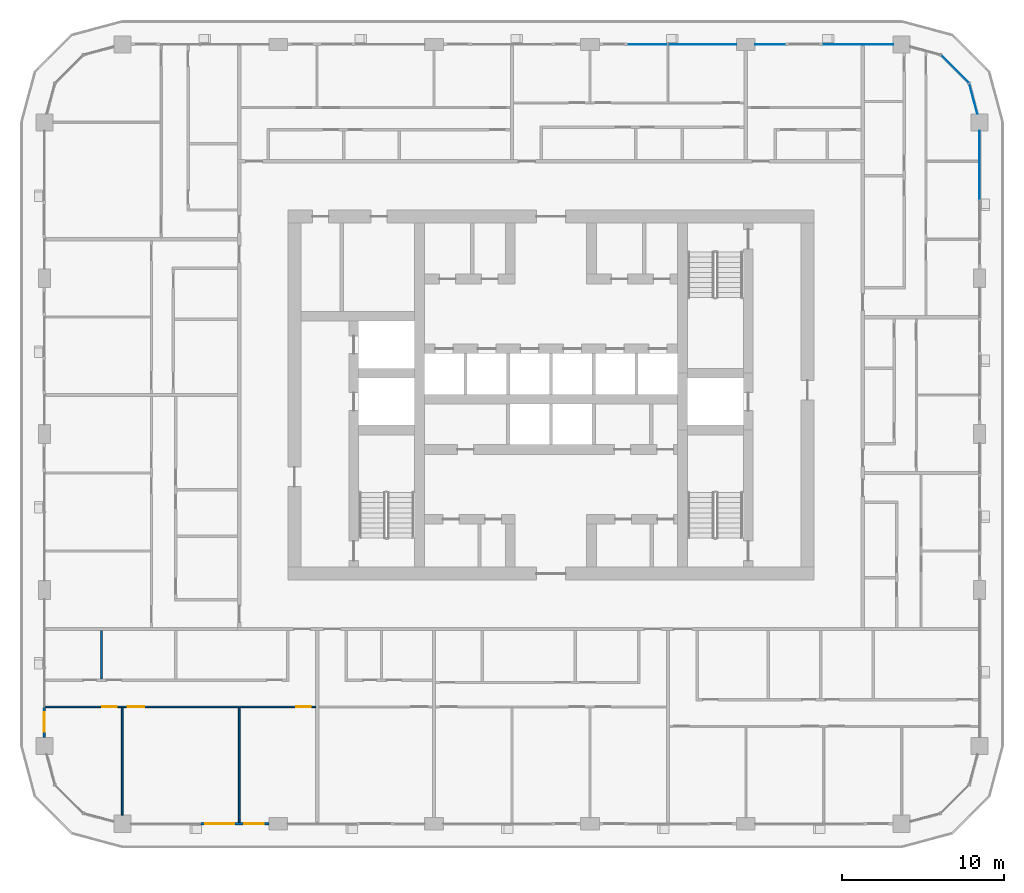
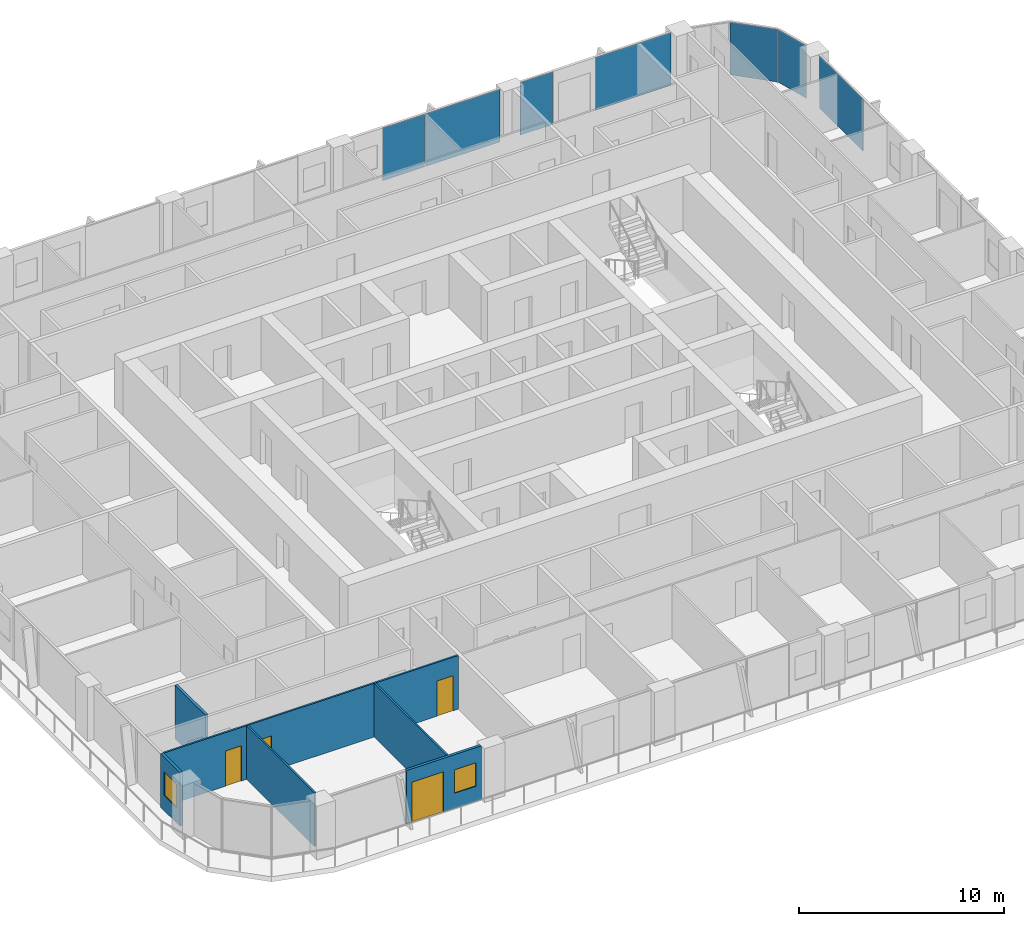
# One storey, part 8 of 22: 7 plates, 6 walls, 4 doors, 2 windows, 6 openings, 4 elements without a shape of their own.
"""IFC4 building model written with IfcOpenShell, lengths in metres."""

from ifc_helpers import new_model, si_unit, direction, frame, frame_2d, origin, origin_2d, place, context, subcontext, project, spatial, rectangle, extrude, material, layer, layer_set, type_object, element, fill, aggregate, save


model = new_model("IFC4")

# Units and contexts
model_context = context("Model", 3, precision=1e-05, world=origin(), true_north=direction((0.0, 1.0)))
body_context = subcontext(model_context, "Body", "Model", "MODEL_VIEW")
ifc_project = project(units=[si_unit("LENGTHUNIT", "METRE"), si_unit("AREAUNIT", "SQUARE_METRE"), si_unit("VOLUMEUNIT", "CUBIC_METRE"), si_unit("PLANEANGLEUNIT", "RADIAN"), si_unit("MASSUNIT", "GRAM", prefix="KILO")], contexts=[model_context])

# Site, building, storey
site_placement = place(None, origin())
site = spatial("IfcSite", under=ifc_project, at=site_placement, CompositionType="ELEMENT")
building_placement = place(site_placement, origin())
building = spatial("IfcBuilding", under=site, at=building_placement, Name="Madar Terraces", CompositionType="ELEMENT")
storey_placement = place(building_placement, frame((0.0, 0.0, 159.5)))
storey = spatial("IfcBuildingStorey", under=building, at=storey_placement, Name="L41", CompositionType="ELEMENT", Elevation=159.5)

# Curtain wall, plate
ifc_material_1 = material(Name="Glass, ceramic frit dark grey, with black aluminium frame", Category="aluminium")
ifc_layer_1 = layer(ifc_material_1, 0.199951171875)
ifc_layer_set_1 = layer_set([ifc_layer_1], Name="Facade curtain wall, fritted glass")
curtain_wall_type = type_object("IfcCurtainWallType", Name="Facade curtain wall, fritted glass", PredefinedType="NOTDEFINED", material=ifc_layer_set_1)
curtain_wall_1_placement = place(storey_placement, origin())
curtain_wall_1 = element("IfcCurtainWall", 1, at=curtain_wall_1_placement, inside=storey, type_object=curtain_wall_type, Name="Outer skin curtain wall east bay 4", PredefinedType="NOTDEFINED")
ifc_material_2 = material(Name="Glass, ceramic frit dark grey", Category="glass")
ifc_layer_2 = layer(ifc_material_2, 0.028076171875)
ifc_layer_set_2 = layer_set([ifc_layer_2], Name="Facade glass panel 28")
plate_type = type_object("IfcPlateType", Name="Facade glass panel 28", PredefinedType="CURTAIN_PANEL", material=ifc_layer_set_2)
plate_1_placement = place(storey_placement, frame((57.60009765625, 40.552490234375, 0.0), z_axis=(0.0, 0.0, 1.0), x_axis=(0.0, 1.0, 0.0)))
plate_1 = element("IfcPlate", 2, at=plate_1_placement, type_object=plate_type, Name="Panel 2", PredefinedType="CURTAIN_PANEL", context=body_context, shape_type="SweptSolid", body=[
    extrude(rectangle(XDim=4.2451171875, YDim=0.028076171875, at=origin_2d()), origin(), (0.0, 0.0, 1.0), 3.139892578125),
])
aggregate(curtain_wall_1, [plate_1])

# Curtain wall, plates
curtain_wall_2_placement = place(storey_placement, origin())
curtain_wall_2 = element("IfcCurtainWall", 3, at=curtain_wall_2_placement, inside=storey, type_object=curtain_wall_type, Name="Outer skin curtain wall north bay 1", PredefinedType="NOTDEFINED")
plate_2_placement = place(storey_placement, frame((50.137451171875, 48.0, 0.0), z_axis=(0.0, 0.0, 1.0), x_axis=(-1.0, 0.0, 0.0)))
plate_2 = element("IfcPlate", 4, at=plate_2_placement, type_object=plate_type, Name="Panel 1", PredefinedType="CURTAIN_PANEL", context=body_context, shape_type="SweptSolid", body=[
    extrude(rectangle(XDim=4.27490234375, YDim=0.028076171875, at=origin_2d()), origin(), (0.0, 0.0, 1.0), 3.139892578125),
])
plate_3_placement = place(storey_placement, frame((44.6875, 48.0, 0.0), z_axis=(0.0, 0.0, 1.0), x_axis=(-1.0, 0.0, 0.0)))
plate_3 = element("IfcPlate", 5, at=plate_3_placement, type_object=plate_type, Name="Panel 2", PredefinedType="CURTAIN_PANEL", context=body_context, shape_type="SweptSolid", body=[
    extrude(rectangle(XDim=1.824951171875, YDim=0.028076171875, at=origin_2d()), origin(), (0.0, 0.0, 1.0), 3.139892578125),
])
aggregate(curtain_wall_2, [plate_2, plate_3])

curtain_wall_3_placement = place(storey_placement, origin())
curtain_wall_3 = element("IfcCurtainWall", 6, at=curtain_wall_3_placement, inside=storey, type_object=curtain_wall_type, Name="Outer skin curtain wall north bay 2", PredefinedType="NOTDEFINED")
plate_4_placement = place(storey_placement, frame((40.527587890625, 48.0, 0.0), z_axis=(0.0, 0.0, 1.0), x_axis=(-1.0, 0.0, 0.0)))
plate_4 = element("IfcPlate", 7, at=plate_4_placement, type_object=plate_type, Name="Panel 1", PredefinedType="CURTAIN_PANEL", context=body_context, shape_type="SweptSolid", body=[
    extrude(rectangle(XDim=4.195068359375, YDim=0.028076171875, at=origin_2d()), origin(), (0.0, 0.0, 1.0), 3.139892578125),
])
plate_5_placement = place(storey_placement, frame((37.18505859375, 48.0, 0.0), z_axis=(0.0, 0.0, 1.0), x_axis=(-1.0, 0.0, 0.0)))
plate_5 = element("IfcPlate", 8, at=plate_5_placement, type_object=plate_type, Name="Panel 2", PredefinedType="CURTAIN_PANEL", context=body_context, shape_type="SweptSolid", body=[
    extrude(rectangle(XDim=2.3701171875, YDim=0.028076171875, at=origin_2d()), origin(), (0.0, 0.0, 1.0), 3.139892578125),
])
aggregate(curtain_wall_3, [plate_4, plate_5])

curtain_wall_4_placement = place(storey_placement, origin())
curtain_wall_4 = element("IfcCurtainWall", 9, at=curtain_wall_4_placement, inside=storey, type_object=curtain_wall_type, Name="Outer skin curtain wall north-east corner", PredefinedType="NOTDEFINED")
plate_6_placement = place(storey_placement, frame((57.2119140625, 44.64794921875, 0.0), z_axis=(0.0, 0.0, 1.0), x_axis=(-0.258819021888, 0.965925832509, 0.0)))
plate_6 = element("IfcPlate", 10, at=plate_6_placement, type_object=plate_type, Name="Panel 1", PredefinedType="CURTAIN_PANEL", context=body_context, shape_type="SweptSolid", body=[
    extrude(rectangle(XDim=1.9111328125, YDim=0.028076171875, at=origin_2d()), origin(), (0.0, 0.0, 1.0), 3.139892578125),
])
plate_7_placement = place(storey_placement, frame((56.078369140625, 46.478515625, 0.0), z_axis=(0.0, 0.0, 1.0), x_axis=(-0.707106781187, 0.707106781187, 0.0)))
plate_7 = element("IfcPlate", 11, at=plate_7_placement, type_object=plate_type, Name="Panel 2", PredefinedType="CURTAIN_PANEL", context=body_context, shape_type="SweptSolid", body=[
    extrude(rectangle(XDim=2.424560546875, YDim=0.028076171875, at=origin_2d()), origin(), (0.0, 0.0, 1.0), 3.139892578125),
])
aggregate(curtain_wall_4, [plate_6, plate_7])

# Wall, openings, door, window
ifc_material_3 = material(Name="Aluminium composite panel, black, over insulated backing", Category="aluminium")
ifc_layer_3 = layer(ifc_material_3, 0.14990234375)
ifc_layer_set_3 = layer_set([ifc_layer_3], Name="Facade bay panel 150")
wall_type_1 = type_object("IfcWallType", Name="Facade bay panel 150", PredefinedType="SOLIDWALL", material=ifc_layer_set_3)
wall_1_placement = place(storey_placement, frame((9.60009765625, 0.0, 0.0), z_axis=(0.0, 0.0, 1.0), x_axis=(1.0, 0.0, 0.0)))
wall_1 = element("IfcWall", 12, at=wall_1_placement, inside=storey, type_object=wall_type_1, Name="Facade bay panel", PredefinedType="SOLIDWALL", context=body_context, shape_type="SweptSolid", body=[
    extrude(rectangle(XDim=4.224853515625, YDim=0.14990234375, at=frame_2d((2.1123046875, 0.0))), origin(), (0.0, 0.0, 1.0), 3.199951171875),
])
opening_1_placement = place(wall_1_placement, frame((0.300048828125, 0.0, 0.0)))
opening_1 = element("IfcOpeningElement", 13, at=opening_1_placement, cuts=wall_1, Name="Opening ED1", PredefinedType="OPENING", context=body_context, shape_type="SweptSolid", body=[
    extrude(rectangle(XDim=1.800048828125, YDim=2.39990234375, at=frame_2d((0.89990234375, 1.199951171875))), frame((0.0, 0.0849609375, 0.0), z_axis=(0.0, -1.0, 0.0), x_axis=(1.0, 0.0, 0.0)), (0.0, 0.0, 1.0), 0.169921875),
])
opening_2_placement = place(wall_1_placement, frame((2.71240234375, 0.0, 0.89990234375)))
opening_2 = element("IfcOpeningElement", 14, at=opening_2_placement, cuts=wall_1, Name="Opening W1", PredefinedType="OPENING", context=body_context, shape_type="SweptSolid", body=[
    extrude(rectangle(XDim=1.199951171875, YDim=1.39990234375, at=frame_2d((0.60009765625, 0.699951171875))), frame((0.0, 0.0849609375, 0.0), z_axis=(0.0, -1.0, 0.0), x_axis=(1.0, 0.0, 0.0)), (0.0, 0.0, 1.0), 0.169921875),
])
ifc_material_4 = material(Name="Glass, clear, with black aluminium frame", Category="aluminium")
door_type_1 = type_object("IfcDoorType", Name="Balcony and terrace sliding door 1800 x 2400", OperationType="SLIDING_TO_LEFT", PredefinedType="DOOR", material=ifc_material_4)
door_1_placement = place(opening_1_placement, origin())
door_1 = element("IfcDoor", 15, at=door_1_placement, inside=storey, type_object=door_type_1, Name="Balcony door", OperationType="SLIDING_TO_LEFT", OverallHeight=2.39990234375, OverallWidth=1.800048828125, PredefinedType="DOOR", context=body_context, shape_type="SweptSolid", body=[
    extrude(rectangle(XDim=1.800048828125, YDim=2.39990234375, at=frame_2d((0.89990234375, 1.199951171875))), frame((0.0, 0.02490234375, 0.0), z_axis=(0.0, -1.0, 0.0), x_axis=(1.0, 0.0, 0.0)), (0.0, 0.0, 1.0), 0.050048828125),
])
fill(opening_1, door_1)
ifc_material_5 = material(Name="Glass, clear, with black aluminium frame", Category="aluminium")
window_type = type_object("IfcWindowType", Name="Vent window 1200 x 1400", PartitioningType="SINGLE_PANEL", PredefinedType="WINDOW", material=ifc_material_5)
window_1_placement = place(opening_2_placement, origin())
window_1 = element("IfcWindow", 16, at=window_1_placement, inside=storey, type_object=window_type, Name="Operable vent window", OverallHeight=1.39990234375, OverallWidth=1.199951171875, PartitioningType="SINGLE_PANEL", PredefinedType="WINDOW", context=body_context, shape_type="SweptSolid", body=[
    extrude(rectangle(XDim=1.199951171875, YDim=1.39990234375, at=frame_2d((0.60009765625, 0.699951171875))), frame((0.0, 0.030029296875, 0.0), z_axis=(0.0, -1.0, 0.0), x_axis=(1.0, 0.0, 0.0)), (0.0, 0.0, 1.0), 0.06005859375),
])
fill(opening_2, window_1)

# Wall, opening, window
wall_2_placement = place(storey_placement, frame((0.0, 7.199951171875, 0.0), z_axis=(0.0, 0.0, 1.0), x_axis=(0.0, -1.0, 0.0)))
wall_2 = element("IfcWall", 17, at=wall_2_placement, inside=storey, type_object=wall_type_1, Name="Facade bay panel", PredefinedType="SOLIDWALL", context=body_context, shape_type="SweptSolid", body=[
    extrude(rectangle(XDim=1.875, YDim=0.14990234375, at=frame_2d((0.9375, 0.0))), origin(), (0.0, 0.0, 1.0), 3.199951171875),
])
opening_3_placement = place(wall_2_placement, frame((0.33740234375, 0.0, 0.89990234375)))
opening_3 = element("IfcOpeningElement", 18, at=opening_3_placement, cuts=wall_2, Name="Opening W1", PredefinedType="OPENING", context=body_context, shape_type="SweptSolid", body=[
    extrude(rectangle(XDim=1.199951171875, YDim=1.39990234375, at=frame_2d((0.60009765625, 0.699951171875))), frame((0.0, 0.0849609375, 0.0), z_axis=(0.0, -1.0, 0.0), x_axis=(1.0, 0.0, 0.0)), (0.0, 0.0, 1.0), 0.169921875),
])
window_2_placement = place(opening_3_placement, origin())
window_2 = element("IfcWindow", 19, at=window_2_placement, inside=storey, type_object=window_type, Name="Operable vent window", OverallHeight=1.39990234375, OverallWidth=1.199951171875, PartitioningType="SINGLE_PANEL", PredefinedType="WINDOW", context=body_context, shape_type="SweptSolid", body=[
    extrude(rectangle(XDim=1.199951171875, YDim=1.39990234375, at=frame_2d((0.60009765625, 0.699951171875))), frame((0.0, 0.030029296875, 0.0), z_axis=(0.0, -1.0, 0.0), x_axis=(1.0, 0.0, 0.0)), (0.0, 0.0, 1.0), 0.06005859375),
])
fill(opening_3, window_2)

# Walls
ifc_material_6 = material(Name="Gypsum board on steel studs", Category="steel")
ifc_layer_4 = layer(ifc_material_6, 0.10009765625)
ifc_layer_set_4 = layer_set([ifc_layer_4], Name="Flat partition 100")
wall_type_2 = type_object("IfcWallType", Name="Flat partition 100", PredefinedType="PARTITIONING", material=ifc_layer_set_4)
wall_3_placement = place(storey_placement, frame((12.0, 7.14990234375, 0.0), z_axis=(0.0, 0.0, 1.0), x_axis=(0.0, -1.0, 0.0)))
element("IfcWall", 20, at=wall_3_placement, inside=storey, type_object=wall_type_2, Name="Flat partition 100", PredefinedType="PARTITIONING", context=body_context, shape_type="SweptSolid", body=[
    extrude(rectangle(XDim=7.0498046875, YDim=0.10009765625, at=frame_2d((3.52490234375, 0.0))), origin(), (0.0, 0.0, 1.0), 3.199951171875),
])
wall_4_placement = place(storey_placement, frame((4.800048828125, 7.14990234375, 0.0), z_axis=(0.0, 0.0, 1.0), x_axis=(0.0, -1.0, 0.0)))
element("IfcWall", 21, at=wall_4_placement, inside=storey, type_object=wall_type_2, Name="Flat partition 100", PredefinedType="PARTITIONING", context=body_context, shape_type="SweptSolid", body=[
    extrude(rectangle(XDim=6.625, YDim=0.10009765625, at=frame_2d((3.3125, 0.0))), origin(), (0.0, 0.0, 1.0), 3.199951171875),
])

# Wall, openings, doors
wall_5_placement = place(storey_placement, frame((16.699951171875, 7.199951171875, 0.0), z_axis=(0.0, 0.0, 1.0), x_axis=(-1.0, 0.0, 0.0)))
wall_5 = element("IfcWall", 22, at=wall_5_placement, inside=storey, type_object=wall_type_2, Name="Flat partition 100", PredefinedType="PARTITIONING", context=body_context, shape_type="SweptSolid", body=[
    extrude(rectangle(XDim=16.599853515625, YDim=0.10009765625, at=frame_2d((8.2998046875, 0.0))), origin(), (0.0, 0.0, 1.0), 3.199951171875),
])
opening_4_placement = place(wall_5_placement, frame((0.300048828125, 0.0, 0.0)))
opening_4 = element("IfcOpeningElement", 23, at=opening_4_placement, cuts=wall_5, Name="Opening D2", PredefinedType="OPENING", context=body_context, shape_type="SweptSolid", body=[
    extrude(rectangle(XDim=0.89990234375, YDim=2.10009765625, at=frame_2d((0.449951171875, 1.050048828125))), frame((0.0, 0.06005859375, 0.0), z_axis=(0.0, -1.0, 0.0), x_axis=(1.0, 0.0, 0.0)), (0.0, 0.0, 1.0), 0.1201171875),
])
opening_5_placement = place(wall_5_placement, frame((10.550048828125, 0.0, 0.0)))
opening_5 = element("IfcOpeningElement", 24, at=opening_5_placement, cuts=wall_5, Name="Opening D3", PredefinedType="OPENING", context=body_context, shape_type="SweptSolid", body=[
    extrude(rectangle(XDim=1.0, YDim=2.10009765625, at=frame_2d((0.5, 1.050048828125))), frame((0.0, 0.06005859375, 0.0), z_axis=(0.0, -1.0, 0.0), x_axis=(1.0, 0.0, 0.0)), (0.0, 0.0, 1.0), 0.1201171875),
])
opening_6_placement = place(wall_5_placement, frame((12.25, 0.0, 0.0)))
opening_6 = element("IfcOpeningElement", 25, at=opening_6_placement, cuts=wall_5, Name="Opening D2", PredefinedType="OPENING", context=body_context, shape_type="SweptSolid", body=[
    extrude(rectangle(XDim=0.89990234375, YDim=2.10009765625, at=frame_2d((0.449951171875, 1.050048828125))), frame((0.0, 0.06005859375, 0.0), z_axis=(0.0, -1.0, 0.0), x_axis=(1.0, 0.0, 0.0)), (0.0, 0.0, 1.0), 0.1201171875),
])
ifc_material_7 = material(Name="Timber door leaf", Category="wood")
door_type_2 = type_object("IfcDoorType", Name="Flat living room door 1000", OperationType="NOTDEFINED", PredefinedType="DOOR", material=ifc_material_7)
door_2_placement = place(opening_5_placement, origin())
door_2 = element("IfcDoor", 26, at=door_2_placement, inside=storey, type_object=door_type_2, Name="Flat living room door 1000", OperationType="SINGLE_SWING_RIGHT", OverallHeight=2.10009765625, OverallWidth=1.0, PredefinedType="DOOR", context=body_context, shape_type="SweptSolid", body=[
    extrude(rectangle(XDim=1.0, YDim=2.10009765625, at=frame_2d((0.5, 1.050048828125))), frame((0.0, 0.02490234375, 0.0), z_axis=(0.0, -1.0, 0.0), x_axis=(1.0, 0.0, 0.0)), (0.0, 0.0, 1.0), 0.050048828125),
])
fill(opening_5, door_2)
ifc_material_8 = material(Name="Timber door leaf", Category="wood")
door_type_3 = type_object("IfcDoorType", Name="Flat room door 900", OperationType="NOTDEFINED", PredefinedType="DOOR", material=ifc_material_8)
door_3_placement = place(opening_4_placement, origin())
door_3 = element("IfcDoor", 27, at=door_3_placement, inside=storey, type_object=door_type_3, Name="Flat room door 900", OperationType="SINGLE_SWING_LEFT", OverallHeight=2.10009765625, OverallWidth=0.89990234375, PredefinedType="DOOR", context=body_context, shape_type="SweptSolid", body=[
    extrude(rectangle(XDim=0.89990234375, YDim=2.10009765625, at=frame_2d((0.449951171875, 1.050048828125))), frame((0.0, 0.02490234375, 0.0), z_axis=(0.0, -1.0, 0.0), x_axis=(1.0, 0.0, 0.0)), (0.0, 0.0, 1.0), 0.050048828125),
])
fill(opening_4, door_3)
door_4_placement = place(opening_6_placement, origin())
door_4 = element("IfcDoor", 28, at=door_4_placement, inside=storey, type_object=door_type_3, Name="Flat room door 900", OperationType="SINGLE_SWING_LEFT", OverallHeight=2.10009765625, OverallWidth=0.89990234375, PredefinedType="DOOR", context=body_context, shape_type="SweptSolid", body=[
    extrude(rectangle(XDim=0.89990234375, YDim=2.10009765625, at=frame_2d((0.449951171875, 1.050048828125))), frame((0.0, 0.02490234375, 0.0), z_axis=(0.0, -1.0, 0.0), x_axis=(1.0, 0.0, 0.0)), (0.0, 0.0, 1.0), 0.050048828125),
])
fill(opening_6, door_4)

# Wall
ifc_material_9 = material(Name="Lightweight blockwork", Category="masonry")
ifc_layer_5 = layer(ifc_material_9, 0.14990234375)
ifc_layer_set_5 = layer_set([ifc_layer_5], Name="Flat wet-room partition 150")
wall_type_3 = type_object("IfcWallType", Name="Flat wet-room partition 150", PredefinedType="PARTITIONING", material=ifc_layer_set_5)
wall_6_placement = place(storey_placement, frame((3.521240234375, 11.89990234375, 0.0), z_axis=(0.0, 0.0, 1.0), x_axis=(0.0, -1.0, 0.0)))
element("IfcWall", 29, at=wall_6_placement, inside=storey, type_object=wall_type_3, Name="Flat wet-room partition 150", PredefinedType="PARTITIONING", context=body_context, shape_type="SweptSolid", body=[
    extrude(rectangle(XDim=2.974853515625, YDim=0.14990234375, at=frame_2d((1.4873046875, 0.0))), origin(), (0.0, 0.0, 1.0), 3.199951171875),
])

save(model, "model.ifc")
